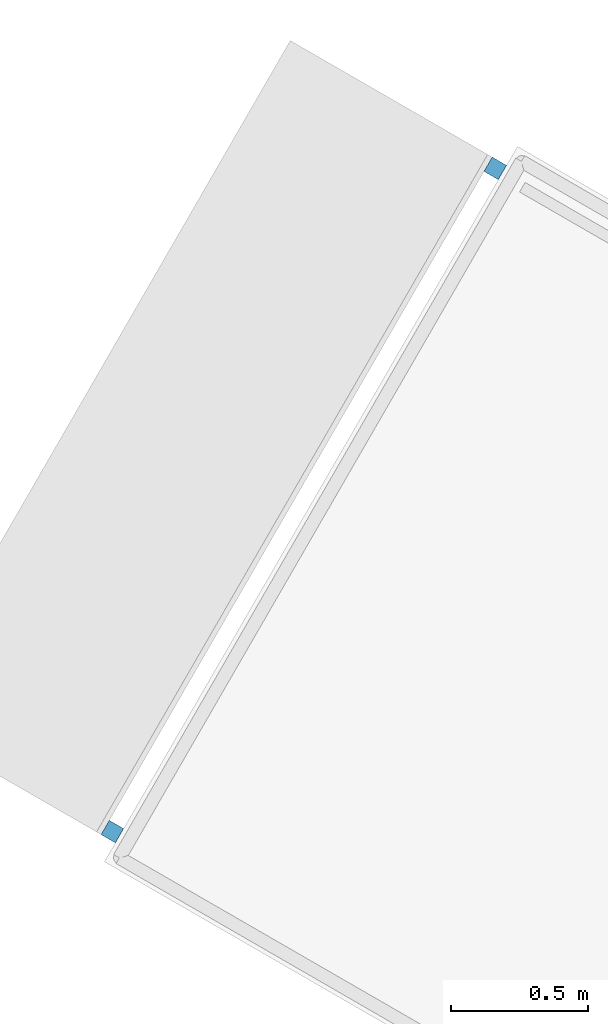
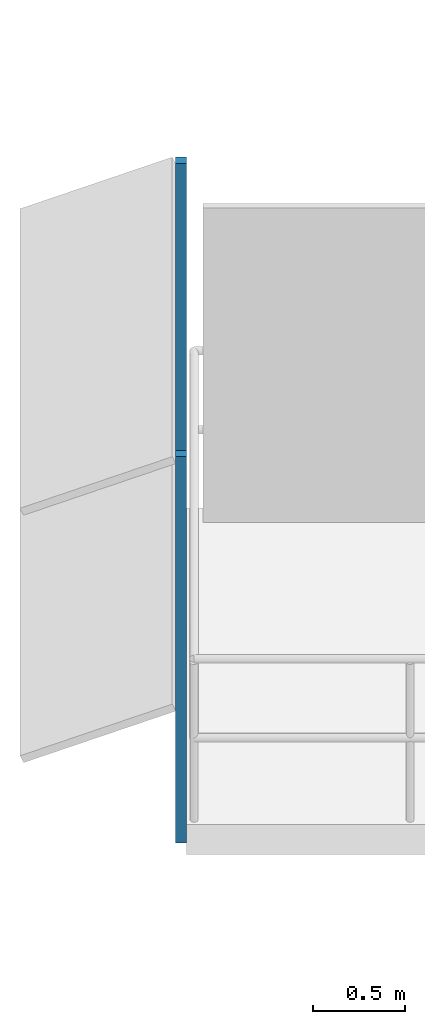
# One storey, part 10 of 13: 2 discrete accessories.
"""IFC4 building model written with IfcOpenShell, lengths in metres."""

from ifc_helpers import new_model, si_unit, direction, frame, origin, origin_2d, place, context, subcontext, project, spatial, rectangle, extrude, material, type_object, element, save


model = new_model("IFC4")

# Units and contexts
model_context = context("Model", 3, precision=1e-05, world=origin(), true_north=direction((0.0, 1.0)))
body_context = subcontext(model_context, "Body", "Model", "MODEL_VIEW")
ifc_project = project(units=[si_unit("LENGTHUNIT", "METRE"), si_unit("AREAUNIT", "SQUARE_METRE"), si_unit("VOLUMEUNIT", "CUBIC_METRE"), si_unit("PLANEANGLEUNIT", "RADIAN"), si_unit("MASSUNIT", "GRAM", prefix="KILO")], contexts=[model_context])

# Site, building, storey
site_placement = place(None, origin())
site = spatial("IfcSite", under=ifc_project, at=site_placement, CompositionType="ELEMENT")
building_placement = place(site_placement, origin())
building = spatial("IfcBuilding", under=site, at=building_placement, Name="Nakaniwa Court", CompositionType="ELEMENT")
storey_placement = place(building_placement, frame((0.0, 0.0, 239.39990234375)))
storey = spatial("IfcBuildingStorey", under=building, at=storey_placement, Name="L62", CompositionType="ELEMENT", Elevation=239.39990234375)

# Discrete accessories
ifc_material = material(Name="Black powder-coated steel bracket S275", Category="steel")
discrete_accessory_type = type_object("IfcDiscreteAccessoryType", Name="Black metal louvre bracket", PredefinedType="BRACKET", material=ifc_material)
for number, where, z_axis, x_axis, name in (
    (1, (57.783447265625, 91.6796875, -0.229736328125), (0.0, 0.0, 1.0), (-0.499986396443, -0.866033257659, 0.0), "L62 louvre bracket 01 1"),
    (2, (56.386962890625, 89.260986328125, -0.229736328125), (0.0, 0.0, 1.0), (-0.499986396443, -0.866033257659, 0.0), "L62 louvre bracket 01 2"),
):
    element("IfcDiscreteAccessory", number, at=place(storey_placement, frame(where, z_axis=z_axis, x_axis=x_axis)), inside=storey, type_object=discrete_accessory_type, Name=name, PredefinedType="BRACKET", context=body_context, shape_type="SweptSolid", body=[
        extrude(rectangle(XDim=0.06005859375, YDim=0.06005859375, at=origin_2d()), origin(), (0.0, 0.0, 1.0), 2.5751953125),
    ])

save(model, "model.ifc")
